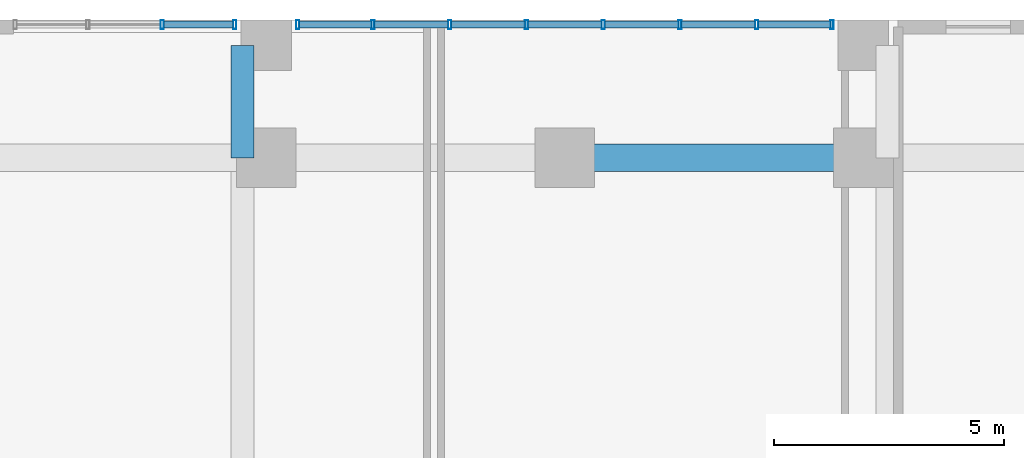
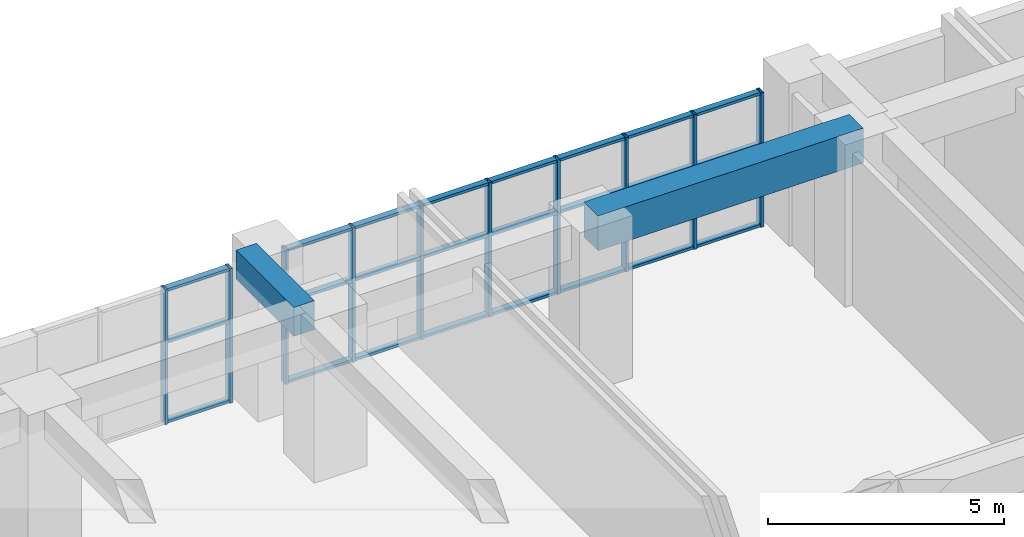
# One storey, part 10 of 24: 34 members, 2 beams, 2 elements without a shape of their own.
"""IFC4 building model written with IfcOpenShell, lengths in metres."""

from ifc_helpers import new_model, si_unit, direction, frame, origin, origin_2d, place, context, subcontext, project, spatial, rectangle, hollow_rectangle, extrude, source, transform, mapped, material, layer, layer_set, material_profile, profile_set, type_object, element, aggregate, save


model = new_model("IFC4")

# Units and contexts
model_context = context("Model", 3, precision=1e-05, world=origin(), true_north=direction((0.0, 1.0)))
body_context = subcontext(model_context, "Body", "Model", "MODEL_VIEW")
ifc_project = project(units=[si_unit("LENGTHUNIT", "METRE"), si_unit("AREAUNIT", "SQUARE_METRE"), si_unit("VOLUMEUNIT", "CUBIC_METRE"), si_unit("PLANEANGLEUNIT", "RADIAN"), si_unit("MASSUNIT", "GRAM", prefix="KILO")], contexts=[model_context])

# Site, building, storey
site_placement = place(None, origin())
site = spatial("IfcSite", under=ifc_project, at=site_placement, CompositionType="ELEMENT")
building_placement = place(site_placement, origin())
building = spatial("IfcBuilding", under=site, at=building_placement, Name="Saelheon Loggia Tower", CompositionType="ELEMENT")
storey_placement = place(building_placement, origin())
storey = spatial("IfcBuildingStorey", under=building, at=storey_placement, Name="L00", CompositionType="ELEMENT", Elevation=0.0)

# Beams
ifc_material_1 = material(Name="Concrete C50/60", Category="concrete")
ifc_material_profile_1 = material_profile(ifc_material_1, rectangle(XDim=0.60009765625, YDim=0.89990234375, at=origin_2d()), Name="RC-600x900")
ifc_profile_set_1 = profile_set([ifc_material_profile_1], Name="Concrete C50/60")
beam_type_1 = type_object("IfcBeamType", Name="Beam_MainGirder_RC600x900", PredefinedType="BEAM", material=ifc_profile_set_1)
shared_shape_1 = source(origin(), body_context, "Body", "SweptSolid", [
    extrude(rectangle(XDim=0.60009765625, YDim=0.89990234375, at=origin_2d()), origin(), (0.0, 0.0, 1.0), 6.5),
])
beam_1_placement = place(storey_placement, frame((38.0, 51.0, 3.75), z_axis=(1.0, 0.0, 0.0), x_axis=(0.0, 1.0, 0.0)))
element("IfcBeam", 1, at=beam_1_placement, inside=storey, type_object=beam_type_1, Name="BM-L00-EW-51-6", PredefinedType="BEAM", context=body_context, shape_type="MappedRepresentation", body=[
    mapped(shared_shape_1, transform((0.0, 0.0, 0.0), scale=1.0)),
])
ifc_material_2 = material(Name="Concrete C45/55", Category="concrete")
ifc_material_profile_2 = material_profile(ifc_material_2, rectangle(XDim=0.5, YDim=0.75, at=origin_2d()), Name="RC-500x750")
ifc_profile_set_2 = profile_set([ifc_material_profile_2], Name="Concrete C45/55")
beam_type_2 = type_object("IfcBeamType", Name="Beam_FloorGirder_RC500x750", PredefinedType="BEAM", material=ifc_profile_set_2)
shared_shape_2 = source(origin(), body_context, "Body", "SweptSolid", [
    extrude(rectangle(XDim=0.5, YDim=0.75, at=origin_2d()), origin(), (0.0, 0.0, 1.0), 2.449951171875),
])
beam_2_placement = place(storey_placement, frame((30.97998046875, 51.0, 3.824951171875), z_axis=(0.0, 1.0, 0.0), x_axis=(-1.0, 0.0, 0.0)))
element("IfcBeam", 2, at=beam_2_placement, inside=storey, type_object=beam_type_2, Name="BM-L00-NS-30-7", PredefinedType="BEAM", context=body_context, shape_type="MappedRepresentation", body=[
    mapped(shared_shape_2, transform((0.0, 0.0, 0.0), scale=1.0)),
])

# Curtain wall, members
ifc_material_3 = material(Name="Aluminium 6063-T6 and Laminated Low-E Glass", Category="aluminium")
ifc_layer = layer(ifc_material_3, 0.199951171875)
ifc_layer_set = layer_set([ifc_layer], Name="Aluminium 6063-T6 and Laminated Low-E Glass")
curtain_wall_type = type_object("IfcCurtainWallType", Name="CW_PodiumEntry", PredefinedType="NOTDEFINED", material=ifc_layer_set)
curtain_wall_1_placement = place(storey_placement, origin())
curtain_wall_1 = element("IfcCurtainWall", 3, at=curtain_wall_1_placement, inside=storey, type_object=curtain_wall_type, Name="L00 Resident Lobby Curtain Wall 1", PredefinedType="NOTDEFINED")
ifc_material_4 = material(Name="Anodised Aluminium 6063-T6", Category="aluminium")
ifc_material_profile_3 = material_profile(ifc_material_4, hollow_rectangle(XDim=0.070068359375, YDim=0.199951171875, WallThickness=0.0048828125, at=origin_2d()), Name="RHS-200x70x5")
ifc_profile_set_3 = profile_set([ifc_material_profile_3], Name="Anodised Aluminium 6063-T6")
member_type_1 = type_object("IfcMemberType", Name="CW_PodiumEntry_Mullion", PredefinedType="MULLION", material=ifc_profile_set_3)
shared_shape_3 = source(origin(), body_context, "Body", "SweptSolid", [
    extrude(hollow_rectangle(XDim=0.070068359375, YDim=0.199951171875, WallThickness=0.0048828125, at=origin_2d()), origin(), (0.0, 0.0, 1.0), 3.47998046875),
])
member_1_placement = place(storey_placement, frame((29.2333984375, 53.89990234375, 0.0), z_axis=(0.0, 0.0, 1.0), x_axis=(1.0, 0.0, 0.0)))
member_1 = element("IfcMember", 4, at=member_1_placement, type_object=member_type_1, Name="CW2 mullion 3", PredefinedType="MULLION", context=body_context, shape_type="MappedRepresentation", body=[
    mapped(shared_shape_3, transform((0.0, 0.0, 0.0), scale=1.0)),
])
member_2_placement = place(storey_placement, frame((30.81494140625, 53.89990234375, 0.0), z_axis=(0.0, 0.0, 1.0), x_axis=(1.0, 0.0, 0.0)))
member_2 = element("IfcMember", 5, at=member_2_placement, type_object=member_type_1, Name="CW2 mullion 4", PredefinedType="MULLION", context=body_context, shape_type="MappedRepresentation", body=[
    mapped(shared_shape_3, transform((0.0, 0.0, 0.0), scale=1.0)),
])

curtain_wall_2_placement = place(storey_placement, origin())
curtain_wall_2 = element("IfcCurtainWall", 6, at=curtain_wall_2_placement, inside=storey, type_object=curtain_wall_type, Name="L00 Resident Lobby Curtain Wall 2", PredefinedType="NOTDEFINED")
member_3_placement = place(storey_placement, frame((32.18505859375, 53.89990234375, 0.0), z_axis=(0.0, 0.0, 1.0), x_axis=(1.0, 0.0, 0.0)))
member_3 = element("IfcMember", 7, at=member_3_placement, type_object=member_type_1, Name="CW2 mullion 1", PredefinedType="MULLION", context=body_context, shape_type="MappedRepresentation", body=[
    mapped(shared_shape_3, transform((0.0, 0.0, 0.0), scale=1.0)),
])
member_4_placement = place(storey_placement, frame((33.821533203125, 53.89990234375, 0.0), z_axis=(0.0, 0.0, 1.0), x_axis=(1.0, 0.0, 0.0)))
member_4 = element("IfcMember", 8, at=member_4_placement, type_object=member_type_1, Name="CW2 mullion 2", PredefinedType="MULLION", context=body_context, shape_type="MappedRepresentation", body=[
    mapped(shared_shape_3, transform((0.0, 0.0, 0.0), scale=1.0)),
])
member_5_placement = place(storey_placement, frame((35.492919921875, 53.89990234375, 0.0), z_axis=(0.0, 0.0, 1.0), x_axis=(1.0, 0.0, 0.0)))
member_5 = element("IfcMember", 9, at=member_5_placement, type_object=member_type_1, Name="CW2 mullion 3", PredefinedType="MULLION", context=body_context, shape_type="MappedRepresentation", body=[
    mapped(shared_shape_3, transform((0.0, 0.0, 0.0), scale=1.0)),
])
member_6_placement = place(storey_placement, frame((37.164306640625, 53.89990234375, 0.0), z_axis=(0.0, 0.0, 1.0), x_axis=(1.0, 0.0, 0.0)))
member_6 = element("IfcMember", 10, at=member_6_placement, type_object=member_type_1, Name="CW2 mullion 4", PredefinedType="MULLION", context=body_context, shape_type="MappedRepresentation", body=[
    mapped(shared_shape_3, transform((0.0, 0.0, 0.0), scale=1.0)),
])
member_7_placement = place(storey_placement, frame((38.835693359375, 53.89990234375, 0.0), z_axis=(0.0, 0.0, 1.0), x_axis=(1.0, 0.0, 0.0)))
member_7 = element("IfcMember", 11, at=member_7_placement, type_object=member_type_1, Name="CW2 mullion 5", PredefinedType="MULLION", context=body_context, shape_type="MappedRepresentation", body=[
    mapped(shared_shape_3, transform((0.0, 0.0, 0.0), scale=1.0)),
])
member_8_placement = place(storey_placement, frame((40.507080078125, 53.89990234375, 0.0), z_axis=(0.0, 0.0, 1.0), x_axis=(1.0, 0.0, 0.0)))
member_8 = element("IfcMember", 12, at=member_8_placement, type_object=member_type_1, Name="CW2 mullion 6", PredefinedType="MULLION", context=body_context, shape_type="MappedRepresentation", body=[
    mapped(shared_shape_3, transform((0.0, 0.0, 0.0), scale=1.0)),
])
member_9_placement = place(storey_placement, frame((42.178466796875, 53.89990234375, 0.0), z_axis=(0.0, 0.0, 1.0), x_axis=(1.0, 0.0, 0.0)))
member_9 = element("IfcMember", 13, at=member_9_placement, type_object=member_type_1, Name="CW2 mullion 7", PredefinedType="MULLION", context=body_context, shape_type="MappedRepresentation", body=[
    mapped(shared_shape_3, transform((0.0, 0.0, 0.0), scale=1.0)),
])
member_10_placement = place(storey_placement, frame((43.81494140625, 53.89990234375, 0.0), z_axis=(0.0, 0.0, 1.0), x_axis=(1.0, 0.0, 0.0)))
member_10 = element("IfcMember", 14, at=member_10_placement, type_object=member_type_1, Name="CW2 mullion 8", PredefinedType="MULLION", context=body_context, shape_type="MappedRepresentation", body=[
    mapped(shared_shape_3, transform((0.0, 0.0, 0.0), scale=1.0)),
])
ifc_material_profile_4 = material_profile(ifc_material_4, hollow_rectangle(XDim=0.070068359375, YDim=0.14990234375, WallThickness=0.0048828125, at=origin_2d()), Name="RHS-150x70x5")
ifc_profile_set_4 = profile_set([ifc_material_profile_4], Name="Anodised Aluminium 6063-T6")
member_type_2 = type_object("IfcMemberType", Name="CW_PodiumEntry_Transom", PredefinedType="USERDEFINED", material=ifc_profile_set_4)
shared_shape_4 = source(origin(), body_context, "Body", "SweptSolid", [
    extrude(hollow_rectangle(XDim=0.070068359375, YDim=0.14990234375, WallThickness=0.0048828125, at=origin_2d()), origin(), (0.0, 0.0, 1.0), 1.56640625),
])
member_11_placement = place(storey_placement, frame((32.219970703125, 53.89990234375, 0.034912109375), z_axis=(1.0, 0.0, 0.0), x_axis=(0.0, 0.0, 1.0)))
member_11 = element("IfcMember", 15, at=member_11_placement, type_object=member_type_2, Name="CW2 transom 1.1", ObjectType="TRANSOM", PredefinedType="USERDEFINED", context=body_context, shape_type="MappedRepresentation", body=[
    mapped(shared_shape_4, transform((0.0, 0.0, 0.0), scale=1.0)),
])
member_12_placement = place(storey_placement, frame((32.219970703125, 53.89990234375, 2.10009765625), z_axis=(1.0, 0.0, 0.0), x_axis=(0.0, 0.0, 1.0)))
member_12 = element("IfcMember", 16, at=member_12_placement, type_object=member_type_2, Name="CW2 transom 1.2", ObjectType="TRANSOM", PredefinedType="USERDEFINED", context=body_context, shape_type="MappedRepresentation", body=[
    mapped(shared_shape_4, transform((0.0, 0.0, 0.0), scale=1.0)),
])
member_13_placement = place(storey_placement, frame((32.219970703125, 53.89990234375, 3.445068359375), z_axis=(1.0, 0.0, 0.0), x_axis=(0.0, 0.0, 1.0)))
member_13 = element("IfcMember", 17, at=member_13_placement, type_object=member_type_2, Name="CW2 transom 1.3", ObjectType="TRANSOM", PredefinedType="USERDEFINED", context=body_context, shape_type="MappedRepresentation", body=[
    mapped(shared_shape_4, transform((0.0, 0.0, 0.0), scale=1.0)),
])
member_14_placement = place(storey_placement, frame((42.213623046875, 53.89990234375, 0.034912109375), z_axis=(1.0, 0.0, 0.0), x_axis=(0.0, 0.0, 1.0)))
member_14 = element("IfcMember", 18, at=member_14_placement, type_object=member_type_2, Name="CW2 transom 7.1", ObjectType="TRANSOM", PredefinedType="USERDEFINED", context=body_context, shape_type="MappedRepresentation", body=[
    mapped(shared_shape_4, transform((0.0, 0.0, 0.0), scale=1.0)),
])
member_15_placement = place(storey_placement, frame((42.213623046875, 53.89990234375, 2.10009765625), z_axis=(1.0, 0.0, 0.0), x_axis=(0.0, 0.0, 1.0)))
member_15 = element("IfcMember", 19, at=member_15_placement, type_object=member_type_2, Name="CW2 transom 7.2", ObjectType="TRANSOM", PredefinedType="USERDEFINED", context=body_context, shape_type="MappedRepresentation", body=[
    mapped(shared_shape_4, transform((0.0, 0.0, 0.0), scale=1.0)),
])
member_16_placement = place(storey_placement, frame((42.213623046875, 53.89990234375, 3.445068359375), z_axis=(1.0, 0.0, 0.0), x_axis=(0.0, 0.0, 1.0)))
member_16 = element("IfcMember", 20, at=member_16_placement, type_object=member_type_2, Name="CW2 transom 7.3", ObjectType="TRANSOM", PredefinedType="USERDEFINED", context=body_context, shape_type="MappedRepresentation", body=[
    mapped(shared_shape_4, transform((0.0, 0.0, 0.0), scale=1.0)),
])
shared_shape_5 = source(origin(), body_context, "Body", "SweptSolid", [
    extrude(hollow_rectangle(XDim=0.070068359375, YDim=0.14990234375, WallThickness=0.0048828125, at=origin_2d()), origin(), (0.0, 0.0, 1.0), 1.601318359375),
])
member_17_placement = place(storey_placement, frame((33.8564453125, 53.89990234375, 0.034912109375), z_axis=(1.0, 0.0, 0.0), x_axis=(0.0, 0.0, 1.0)))
member_17 = element("IfcMember", 21, at=member_17_placement, type_object=member_type_2, Name="CW2 transom 2.1", ObjectType="TRANSOM", PredefinedType="USERDEFINED", context=body_context, shape_type="MappedRepresentation", body=[
    mapped(shared_shape_5, transform((0.0, 0.0, 0.0), scale=1.0)),
])
member_18_placement = place(storey_placement, frame((33.8564453125, 53.89990234375, 2.10009765625), z_axis=(1.0, 0.0, 0.0), x_axis=(0.0, 0.0, 1.0)))
member_18 = element("IfcMember", 22, at=member_18_placement, type_object=member_type_2, Name="CW2 transom 2.2", ObjectType="TRANSOM", PredefinedType="USERDEFINED", context=body_context, shape_type="MappedRepresentation", body=[
    mapped(shared_shape_5, transform((0.0, 0.0, 0.0), scale=1.0)),
])
member_19_placement = place(storey_placement, frame((33.8564453125, 53.89990234375, 3.445068359375), z_axis=(1.0, 0.0, 0.0), x_axis=(0.0, 0.0, 1.0)))
member_19 = element("IfcMember", 23, at=member_19_placement, type_object=member_type_2, Name="CW2 transom 2.3", ObjectType="TRANSOM", PredefinedType="USERDEFINED", context=body_context, shape_type="MappedRepresentation", body=[
    mapped(shared_shape_5, transform((0.0, 0.0, 0.0), scale=1.0)),
])
member_20_placement = place(storey_placement, frame((40.542236328125, 53.89990234375, 0.034912109375), z_axis=(1.0, 0.0, 0.0), x_axis=(0.0, 0.0, 1.0)))
member_20 = element("IfcMember", 24, at=member_20_placement, type_object=member_type_2, Name="CW2 transom 6.1", ObjectType="TRANSOM", PredefinedType="USERDEFINED", context=body_context, shape_type="MappedRepresentation", body=[
    mapped(shared_shape_5, transform((0.0, 0.0, 0.0), scale=1.0)),
])
member_21_placement = place(storey_placement, frame((40.542236328125, 53.89990234375, 2.10009765625), z_axis=(1.0, 0.0, 0.0), x_axis=(0.0, 0.0, 1.0)))
member_21 = element("IfcMember", 25, at=member_21_placement, type_object=member_type_2, Name="CW2 transom 6.2", ObjectType="TRANSOM", PredefinedType="USERDEFINED", context=body_context, shape_type="MappedRepresentation", body=[
    mapped(shared_shape_5, transform((0.0, 0.0, 0.0), scale=1.0)),
])
member_22_placement = place(storey_placement, frame((40.542236328125, 53.89990234375, 3.445068359375), z_axis=(1.0, 0.0, 0.0), x_axis=(0.0, 0.0, 1.0)))
member_22 = element("IfcMember", 26, at=member_22_placement, type_object=member_type_2, Name="CW2 transom 6.3", ObjectType="TRANSOM", PredefinedType="USERDEFINED", context=body_context, shape_type="MappedRepresentation", body=[
    mapped(shared_shape_5, transform((0.0, 0.0, 0.0), scale=1.0)),
])
shared_shape_6 = source(origin(), body_context, "Body", "SweptSolid", [
    extrude(hollow_rectangle(XDim=0.070068359375, YDim=0.14990234375, WallThickness=0.0048828125, at=origin_2d()), origin(), (0.0, 0.0, 1.0), 1.6015625),
])
member_23_placement = place(storey_placement, frame((35.52783203125, 53.89990234375, 0.034912109375), z_axis=(1.0, 0.0, 0.0), x_axis=(0.0, 0.0, 1.0)))
member_23 = element("IfcMember", 27, at=member_23_placement, type_object=member_type_2, Name="CW2 transom 3.1", ObjectType="TRANSOM", PredefinedType="USERDEFINED", context=body_context, shape_type="MappedRepresentation", body=[
    mapped(shared_shape_6, transform((0.0, 0.0, 0.0), scale=1.0)),
])
member_24_placement = place(storey_placement, frame((35.52783203125, 53.89990234375, 2.10009765625), z_axis=(1.0, 0.0, 0.0), x_axis=(0.0, 0.0, 1.0)))
member_24 = element("IfcMember", 28, at=member_24_placement, type_object=member_type_2, Name="CW2 transom 3.2", ObjectType="TRANSOM", PredefinedType="USERDEFINED", context=body_context, shape_type="MappedRepresentation", body=[
    mapped(shared_shape_6, transform((0.0, 0.0, 0.0), scale=1.0)),
])
member_25_placement = place(storey_placement, frame((35.52783203125, 53.89990234375, 3.445068359375), z_axis=(1.0, 0.0, 0.0), x_axis=(0.0, 0.0, 1.0)))
member_25 = element("IfcMember", 29, at=member_25_placement, type_object=member_type_2, Name="CW2 transom 3.3", ObjectType="TRANSOM", PredefinedType="USERDEFINED", context=body_context, shape_type="MappedRepresentation", body=[
    mapped(shared_shape_6, transform((0.0, 0.0, 0.0), scale=1.0)),
])
member_26_placement = place(storey_placement, frame((37.19921875, 53.89990234375, 0.034912109375), z_axis=(1.0, 0.0, 0.0), x_axis=(0.0, 0.0, 1.0)))
member_26 = element("IfcMember", 30, at=member_26_placement, type_object=member_type_2, Name="CW2 transom 4.1", ObjectType="TRANSOM", PredefinedType="USERDEFINED", context=body_context, shape_type="MappedRepresentation", body=[
    mapped(shared_shape_6, transform((0.0, 0.0, 0.0), scale=1.0)),
])
member_27_placement = place(storey_placement, frame((37.19921875, 53.89990234375, 2.10009765625), z_axis=(1.0, 0.0, 0.0), x_axis=(0.0, 0.0, 1.0)))
member_27 = element("IfcMember", 31, at=member_27_placement, type_object=member_type_2, Name="CW2 transom 4.2", ObjectType="TRANSOM", PredefinedType="USERDEFINED", context=body_context, shape_type="MappedRepresentation", body=[
    mapped(shared_shape_6, transform((0.0, 0.0, 0.0), scale=1.0)),
])
member_28_placement = place(storey_placement, frame((37.19921875, 53.89990234375, 3.445068359375), z_axis=(1.0, 0.0, 0.0), x_axis=(0.0, 0.0, 1.0)))
member_28 = element("IfcMember", 32, at=member_28_placement, type_object=member_type_2, Name="CW2 transom 4.3", ObjectType="TRANSOM", PredefinedType="USERDEFINED", context=body_context, shape_type="MappedRepresentation", body=[
    mapped(shared_shape_6, transform((0.0, 0.0, 0.0), scale=1.0)),
])
member_29_placement = place(storey_placement, frame((38.87060546875, 53.89990234375, 0.034912109375), z_axis=(1.0, 0.0, 0.0), x_axis=(0.0, 0.0, 1.0)))
member_29 = element("IfcMember", 33, at=member_29_placement, type_object=member_type_2, Name="CW2 transom 5.1", ObjectType="TRANSOM", PredefinedType="USERDEFINED", context=body_context, shape_type="MappedRepresentation", body=[
    mapped(shared_shape_6, transform((0.0, 0.0, 0.0), scale=1.0)),
])
member_30_placement = place(storey_placement, frame((38.87060546875, 53.89990234375, 2.10009765625), z_axis=(1.0, 0.0, 0.0), x_axis=(0.0, 0.0, 1.0)))
member_30 = element("IfcMember", 34, at=member_30_placement, type_object=member_type_2, Name="CW2 transom 5.2", ObjectType="TRANSOM", PredefinedType="USERDEFINED", context=body_context, shape_type="MappedRepresentation", body=[
    mapped(shared_shape_6, transform((0.0, 0.0, 0.0), scale=1.0)),
])
member_31_placement = place(storey_placement, frame((38.87060546875, 53.89990234375, 3.445068359375), z_axis=(1.0, 0.0, 0.0), x_axis=(0.0, 0.0, 1.0)))
member_31 = element("IfcMember", 35, at=member_31_placement, type_object=member_type_2, Name="CW2 transom 5.3", ObjectType="TRANSOM", PredefinedType="USERDEFINED", context=body_context, shape_type="MappedRepresentation", body=[
    mapped(shared_shape_6, transform((0.0, 0.0, 0.0), scale=1.0)),
])
aggregate(curtain_wall_2, [member_3, member_4, member_5, member_6, member_7, member_8, member_9, member_10, member_11, member_12, member_13, member_17, member_18, member_19, member_23, member_24, member_25, member_26, member_27, member_28, member_29, member_30, member_31, member_20, member_21, member_22, member_14, member_15, member_16])

# Member
shared_shape_7 = source(origin(), body_context, "Body", "SweptSolid", [
    extrude(hollow_rectangle(XDim=0.070068359375, YDim=0.14990234375, WallThickness=0.0048828125, at=origin_2d()), origin(), (0.0, 0.0, 1.0), 1.51171875),
])
member_32_placement = place(storey_placement, frame((29.268310546875, 53.89990234375, 0.034912109375), z_axis=(1.0, 0.0, 0.0), x_axis=(0.0, 0.0, 1.0)))
member_32 = element("IfcMember", 36, at=member_32_placement, type_object=member_type_2, Name="CW2 transom 3.1", ObjectType="TRANSOM", PredefinedType="USERDEFINED", context=body_context, shape_type="MappedRepresentation", body=[
    mapped(shared_shape_7, transform((0.0, 0.0, 0.0), scale=1.0)),
])

member_33_placement = place(storey_placement, frame((29.268310546875, 53.89990234375, 2.10009765625), z_axis=(1.0, 0.0, 0.0), x_axis=(0.0, 0.0, 1.0)))
member_33 = element("IfcMember", 37, at=member_33_placement, type_object=member_type_2, Name="CW2 transom 3.2", ObjectType="TRANSOM", PredefinedType="USERDEFINED", context=body_context, shape_type="MappedRepresentation", body=[
    mapped(shared_shape_7, transform((0.0, 0.0, 0.0), scale=1.0)),
])

member_34_placement = place(storey_placement, frame((29.268310546875, 53.89990234375, 3.445068359375), z_axis=(1.0, 0.0, 0.0), x_axis=(0.0, 0.0, 1.0)))
member_34 = element("IfcMember", 38, at=member_34_placement, type_object=member_type_2, Name="CW2 transom 3.3", ObjectType="TRANSOM", PredefinedType="USERDEFINED", context=body_context, shape_type="MappedRepresentation", body=[
    mapped(shared_shape_7, transform((0.0, 0.0, 0.0), scale=1.0)),
])

aggregate(curtain_wall_1, [member_1, member_2, member_32, member_33, member_34])

save(model, "model.ifc")
